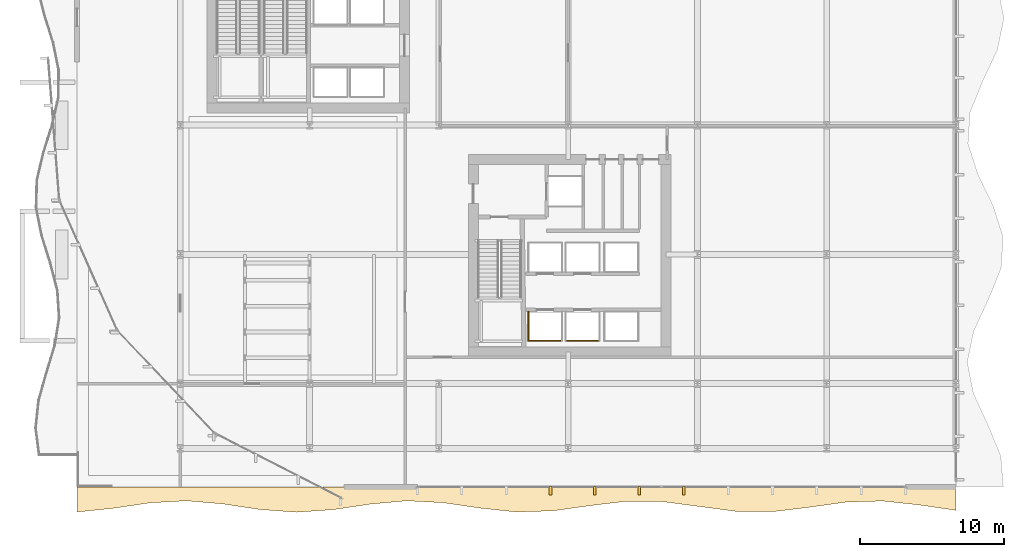
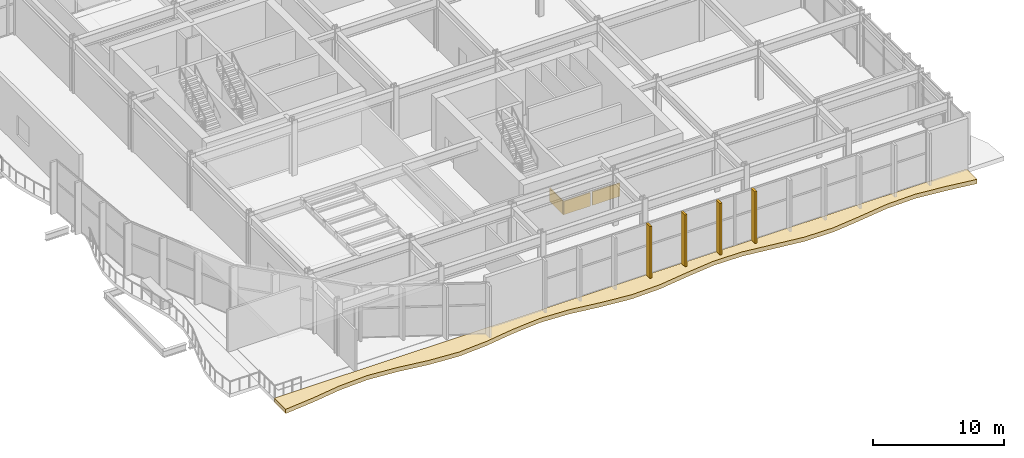
# One storey, part 28 of 33: 8 coverings.
"""IFC4 building model written with IfcOpenShell, lengths in metres."""

from ifc_helpers import new_model, si_unit, direction, frame, origin, origin_2d, place, context, subcontext, project, spatial, polyline, rectangle, outline, extrude, material, layer, layer_set, type_object, element, save


model = new_model("IFC4")

# Units and contexts
model_context = context("Model", 3, precision=1e-05, world=origin(), true_north=direction((0.0, 1.0)))
body_context = subcontext(model_context, "Body", "Model", "MODEL_VIEW")
ifc_project = project(units=[si_unit("LENGTHUNIT", "METRE"), si_unit("AREAUNIT", "SQUARE_METRE"), si_unit("VOLUMEUNIT", "CUBIC_METRE"), si_unit("PLANEANGLEUNIT", "RADIAN"), si_unit("MASSUNIT", "GRAM", prefix="KILO")], contexts=[model_context])

# Site, building, storey
site_placement = place(None, origin())
site = spatial("IfcSite", under=ifc_project, at=site_placement, CompositionType="ELEMENT")
building_placement = place(site_placement, origin())
building = spatial("IfcBuilding", under=site, at=building_placement, Name="Solvaryn Broadcast Tower", CompositionType="ELEMENT")
storey_placement = place(building_placement, frame((0.0, 0.0, 5.800048828125)))
storey = spatial("IfcBuildingStorey", under=building, at=storey_placement, Name="L01", CompositionType="ELEMENT", Elevation=5.800048828125)

# Coverings
ifc_material_1 = material(Name="Fire-Rated Gypsum Shaftwall Liner", Category="concrete")
ifc_layer_1 = layer(ifc_material_1, 0.080078125)
ifc_layer_set_1 = layer_set([ifc_layer_1], Name="CV-SHAFT-LINER")
covering_type_1 = type_object("IfcCoveringType", Name="CV-SHAFT-LINER", PredefinedType="CLADDING", material=ifc_layer_set_1)
covering_1_placement = place(storey_placement, frame((34.39990234375, 11.985107421875, 0.0), z_axis=(0.0, 0.0, 1.0), x_axis=(1.0, 0.0, 0.0)))
element("IfcCovering", 1, at=covering_1_placement, inside=storey, type_object=covering_type_1, Name="L01 PL1 Hoistway Shaft Liner South", PredefinedType="CLADDING", context=body_context, shape_type="SweptSolid", body=[
    extrude(rectangle(XDim=2.409912109375, YDim=0.080078125, at=origin_2d()), origin(), (0.0, 0.0, 1.0), 1.25),
])
covering_2_placement = place(storey_placement, frame((33.235107421875, 13.0, 0.0), z_axis=(0.0, 0.0, 1.0), x_axis=(1.0, 0.0, 0.0)))
element("IfcCovering", 2, at=covering_2_placement, inside=storey, type_object=covering_type_1, Name="L01 PL1 Hoistway Shaft Liner West", PredefinedType="CLADDING", context=body_context, shape_type="SweptSolid", body=[
    extrude(rectangle(XDim=0.080078125, YDim=2.110107421875, at=origin_2d()), origin(), (0.0, 0.0, 1.0), 1.25),
])
covering_3_placement = place(storey_placement, frame((37.0, 11.985107421875, 0.0), z_axis=(0.0, 0.0, 1.0), x_axis=(1.0, 0.0, 0.0)))
element("IfcCovering", 3, at=covering_3_placement, inside=storey, type_object=covering_type_1, Name="L01 PL2 Hoistway Shaft Liner South", PredefinedType="CLADDING", context=body_context, shape_type="SweptSolid", body=[
    extrude(rectangle(XDim=2.409912109375, YDim=0.080078125, at=origin_2d()), origin(), (0.0, 0.0, 1.0), 1.25),
])
ifc_material_2 = material(Name="Extruded Architectural Terracotta Fin", Category="masonry")
ifc_layer_2 = layer(ifc_material_2, 0.179931640625)
ifc_layer_set_2 = layer_set([ifc_layer_2], Name="CV-TC-FIN")
covering_type_2 = type_object("IfcCoveringType", Name="CV-TC-FIN", PredefinedType="USERDEFINED", material=ifc_layer_set_2)
for number, where, z_axis, x_axis, name in (
    (4, (44.04541015625, 1.550048828125, 0.0), (0.0, 0.0, 1.0), (1.0, 0.0, 0.0), "L01 Terracotta Vertical Fin FIN-POD-L01-S1-05"),
    (5, (40.95458984375, 1.550048828125, 0.0), (0.0, 0.0, 1.0), (1.0, 0.0, 0.0), "L01 Terracotta Vertical Fin FIN-POD-L01-S1-06"),
    (6, (37.863525390625, 1.550048828125, 0.0), (0.0, 0.0, 1.0), (1.0, 0.0, 0.0), "L01 Terracotta Vertical Fin FIN-POD-L01-S1-07"),
    (7, (34.772705078125, 1.550048828125, 0.0), (0.0, 0.0, 1.0), (1.0, 0.0, 0.0), "L01 Terracotta Vertical Fin FIN-POD-L01-S1-08"),
):
    element("IfcCovering", number, at=place(storey_placement, frame(where, z_axis=z_axis, x_axis=x_axis)), inside=storey, type_object=covering_type_2, Name=name, ObjectType="FIN", PredefinedType="USERDEFINED", context=body_context, shape_type="SweptSolid", body=[
        extrude(rectangle(XDim=0.179931640625, YDim=0.6201171875, at=origin_2d()), origin(), (0.0, 0.0, 1.0), 4.8798828125),
    ])
ifc_material_3 = material(Name="Sculpted Architectural Terracotta Wave Fascia", Category="masonry")
ifc_layer_3 = layer(ifc_material_3, 0.340087890625)
ifc_layer_set_3 = layer_set([ifc_layer_3], Name="CV-WAVE-TRAY")
covering_type_3 = type_object("IfcCoveringType", Name="CV-WAVE-TRAY", PredefinedType="CLADDING", material=ifc_layer_set_3)
covering_4_placement = place(storey_placement, frame((0.0, 0.0, -0.360107421875)))
element("IfcCovering", 8, at=covering_4_placement, inside=storey, type_object=covering_type_3, Name="L01 Spreading Wave Tray Apron S", PredefinedType="CLADDING", context=body_context, shape_type="SweptSolid", body=[
    extrude(outline(polyline([(1.800048828125, 0.06396484375), (4.35009765625, 0.3291015625), (6.89990234375, 0.7060546875), (9.449951171875, 0.846923828125), (12.0, 0.6220703125), (14.550048828125, 0.239013671875), (17.10009765625, 0.050048828125), (19.64990234375, 0.22998046875), (22.199951171875, 0.613037109375), (24.75, 0.844970703125), (27.300048828125, 0.714111328125), (29.85009765625, 0.339111328125), (32.39990234375, 0.06591796875), (34.949951171875, 0.14794921875), (37.5, 0.507080078125), (40.050048828125, 0.81396484375), (42.60009765625, 0.784912109375), (45.14990234375, 0.447021484375), (47.699951171875, 0.112060546875), (50.25, 0.087890625), (52.800048828125, 0.39794921875), (55.35009765625, 0.756103515625), (57.89990234375, 0.83203125), (60.449951171875, 0.555908203125), (63.0, 0.181884765625), (63.0, 1.800048828125), (60.449951171875, 1.800048828125), (57.89990234375, 1.800048828125), (55.35009765625, 1.800048828125), (52.800048828125, 1.800048828125), (50.25, 1.800048828125), (47.699951171875, 1.800048828125), (45.14990234375, 1.800048828125), (42.60009765625, 1.800048828125), (40.050048828125, 1.800048828125), (37.5, 1.800048828125), (34.949951171875, 1.800048828125), (32.39990234375, 1.800048828125), (29.85009765625, 1.800048828125), (27.300048828125, 1.800048828125), (24.75, 1.800048828125), (22.199951171875, 1.800048828125), (19.64990234375, 1.800048828125), (17.10009765625, 1.800048828125), (14.550048828125, 1.800048828125), (12.0, 1.800048828125), (9.449951171875, 1.800048828125), (6.89990234375, 1.800048828125), (4.35009765625, 1.800048828125), (1.800048828125, 1.800048828125), (1.800048828125, 0.06396484375)])), origin(), (0.0, 0.0, 1.0), 0.400146484375),
])

save(model, "model.ifc")
